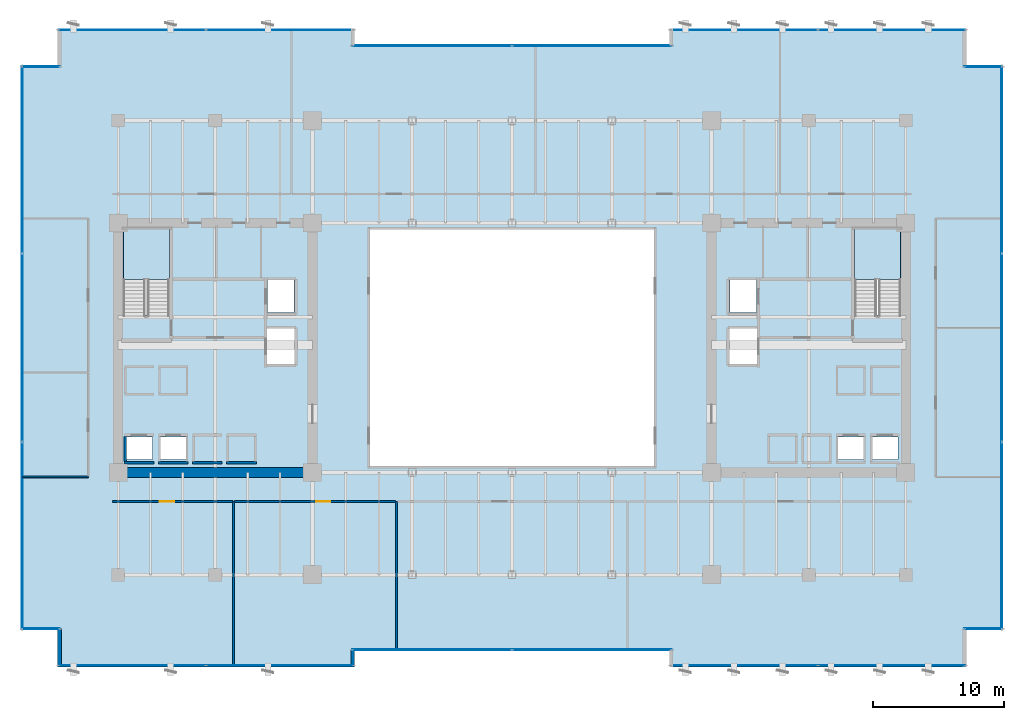
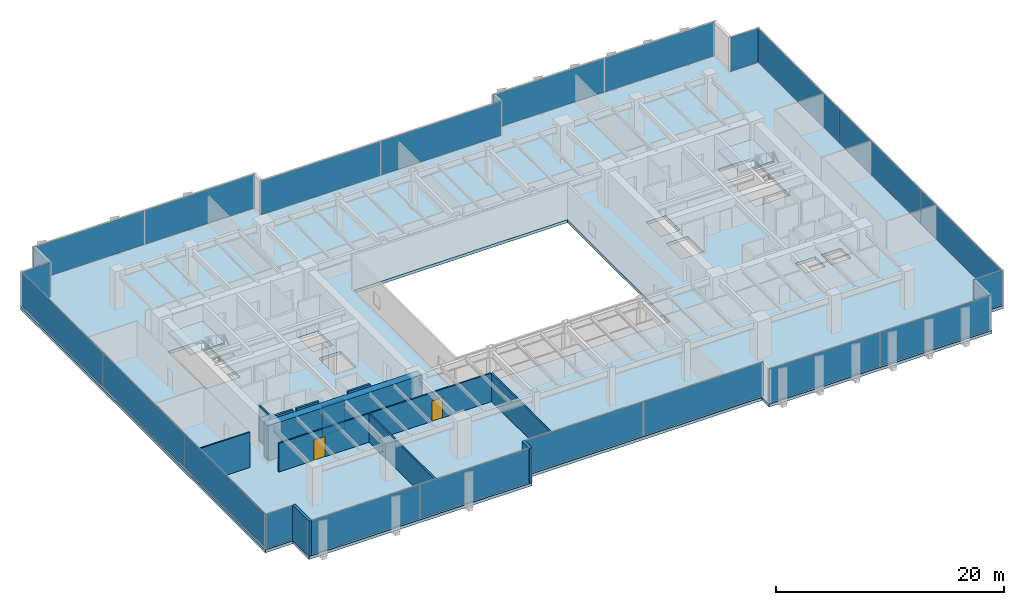
# One storey, part 28 of 36: 22 plates, 13 walls, 3 slabs, 2 doors, 2 openings, 14 elements without a shape of their own.
"""IFC4 building model written with IfcOpenShell, lengths in metres."""

from ifc_helpers import new_model, si_unit, direction, frame, frame_2d, origin, origin_2d, place, context, subcontext, project, spatial, polyline, rectangle, outline, extrude, source, transform, mapped, material, layer, layer_set, type_object, type_shapes, element, fill, aggregate, save


model = new_model("IFC4")

# Units and contexts
model_context = context("Model", 3, precision=1e-05, world=origin(), true_north=direction((0.0, 1.0)))
body_context = subcontext(model_context, "Body", "Model", "MODEL_VIEW")
ifc_project = project(units=[si_unit("LENGTHUNIT", "METRE"), si_unit("AREAUNIT", "SQUARE_METRE"), si_unit("VOLUMEUNIT", "CUBIC_METRE"), si_unit("PLANEANGLEUNIT", "RADIAN"), si_unit("MASSUNIT", "GRAM", prefix="KILO")], contexts=[model_context])

# Site, building, storey
site_placement = place(None, origin())
site = spatial("IfcSite", under=ifc_project, at=site_placement, CompositionType="ELEMENT")
building_placement = place(site_placement, origin())
building = spatial("IfcBuilding", under=site, at=building_placement, Name="Haelvirn Gate Laboratories", CompositionType="ELEMENT")
storey_placement = place(building_placement, frame((0.0, 0.0, 29.300048828125)))
storey = spatial("IfcBuildingStorey", under=building, at=storey_placement, Name="L07", CompositionType="ELEMENT", Elevation=29.300048828125)

# Stair, slab
ifc_material_1 = material(Name="Concrete C40/50", Category="concrete")
stair_type = type_object("IfcStairType", Name="ST-DOG-1650-R22", PredefinedType="HALF_TURN_STAIR", material=ifc_material_1)
stair_1_placement = place(storey_placement, origin())
stair_1 = element("IfcStair", 1, at=stair_1_placement, inside=storey, type_object=stair_type, Name="L07 Escape Stair ST1", PredefinedType="HALF_TURN_STAIR")
ifc_layer_1 = layer(ifc_material_1, 0.199951171875, Name="SL-STAIR-LND")
ifc_layer_set_1 = layer_set([ifc_layer_1], Name="Concrete C40/50")
slab_type_1 = type_object("IfcSlabType", Name="SL-STAIR-LND", PredefinedType="LANDING", material=ifc_layer_set_1)
slab_1_placement = place(storey_placement, frame((0.0, 0.0, 1.849853515625)))
slab_1 = element("IfcSlab", 2, at=slab_1_placement, type_object=slab_type_1, Name="ST1 landing 1", PredefinedType="LANDING", context=body_context, shape_type="SweptSolid", body=[
    extrude(outline(polyline([(11.300048828125, 29.5), (11.300048828125, 33.35009765625), (7.800048828125, 33.35009765625), (7.800048828125, 29.5), (11.300048828125, 29.5)])), origin(), (0.0, 0.0, 1.0), 0.2001953125),
])
aggregate(stair_1, [slab_1])

stair_2_placement = place(storey_placement, origin())
stair_2 = element("IfcStair", 3, at=stair_2_placement, inside=storey, type_object=stair_type, Name="L07 Escape Stair ST2", PredefinedType="HALF_TURN_STAIR")
slab_2_placement = place(storey_placement, frame((0.0, 0.0, 1.849853515625)))
slab_2 = element("IfcSlab", 4, at=slab_2_placement, type_object=slab_type_1, Name="ST2 landing 1", PredefinedType="LANDING", context=body_context, shape_type="SweptSolid", body=[
    extrude(outline(polyline([(67.0, 29.5), (67.0, 33.35009765625), (63.5, 33.35009765625), (63.5, 29.5), (67.0, 29.5)])), origin(), (0.0, 0.0, 1.0), 0.2001953125),
])
aggregate(stair_2, [slab_2])

# Slab
ifc_material_2 = material(Name="Concrete C50/60", Category="concrete")
ifc_layer_2 = layer(ifc_material_2, 0.320068359375, Name="SL-Z1-320")
ifc_layer_set_2 = layer_set([ifc_layer_2], Name="Concrete C50/60")
slab_type_2 = type_object("IfcSlabType", Name="SL-Z1-320", PredefinedType="FLOOR", material=ifc_layer_set_2)
slab_3_placement = place(storey_placement, frame((0.0, 0.0, -0.320068359375)))
element("IfcSlab", 5, at=slab_3_placement, inside=storey, type_object=slab_type_2, Name="L07 Structural Slab MAIN", PredefinedType="FLOOR", context=body_context, shape_type="SweptSolid", body=[
    extrude(outline(polyline([(2.800048828125, 0.0), (25.39990234375, 0.0), (25.39990234375, 1.199951171875), (49.39990234375, 1.199951171875), (49.39990234375, 0.0), (72.0, 0.0), (72.0, 2.800048828125), (74.800048828125, 2.800048828125), (74.800048828125, 45.800048828125), (72.0, 45.800048828125), (72.0, 48.60009765625), (49.39990234375, 48.60009765625), (49.39990234375, 47.39990234375), (25.39990234375, 47.39990234375), (25.39990234375, 48.60009765625), (2.800048828125, 48.60009765625), (2.800048828125, 45.800048828125), (0.0, 45.800048828125), (0.0, 2.800048828125), (2.800048828125, 2.800048828125), (2.800048828125, 0.0)]), holes=[polyline([(26.60009765625, 15.300048828125), (48.199951171875, 15.300048828125), (48.199951171875, 33.300048828125), (26.60009765625, 33.300048828125), (26.60009765625, 15.300048828125)]), polyline([(11.300048828125, 26.780029296875), (11.300048828125, 33.35009765625), (7.800048828125, 33.35009765625), (7.800048828125, 26.780029296875), (11.300048828125, 26.780029296875)]), polyline([(67.0, 26.780029296875), (67.0, 33.35009765625), (63.5, 33.35009765625), (63.5, 26.780029296875), (67.0, 26.780029296875)]), polyline([(7.989990234375, 15.77001953125), (10.010009765625, 15.77001953125), (10.010009765625, 17.510009765625), (7.989990234375, 17.510009765625), (7.989990234375, 15.77001953125)]), polyline([(10.590087890625, 15.77001953125), (12.610107421875, 15.77001953125), (12.610107421875, 17.510009765625), (10.590087890625, 17.510009765625), (10.590087890625, 15.77001953125)]), polyline([(18.7900390625, 26.969970703125), (20.81005859375, 26.969970703125), (20.81005859375, 29.510009765625), (18.7900390625, 29.510009765625), (18.7900390625, 26.969970703125)]), polyline([(18.68994140625, 23.070068359375), (20.909912109375, 23.070068359375), (20.909912109375, 25.81005859375), (18.68994140625, 25.81005859375), (18.68994140625, 23.070068359375)]), polyline([(64.7900390625, 15.77001953125), (66.81005859375, 15.77001953125), (66.81005859375, 17.510009765625), (64.7900390625, 17.510009765625), (64.7900390625, 15.77001953125)]), polyline([(62.18994140625, 15.77001953125), (64.2099609375, 15.77001953125), (64.2099609375, 17.510009765625), (62.18994140625, 17.510009765625), (62.18994140625, 15.77001953125)]), polyline([(53.989990234375, 26.969970703125), (56.010009765625, 26.969970703125), (56.010009765625, 29.510009765625), (53.989990234375, 29.510009765625), (53.989990234375, 26.969970703125)]), polyline([(53.889892578125, 23.070068359375), (56.110107421875, 23.070068359375), (56.110107421875, 25.81005859375), (53.889892578125, 25.81005859375), (53.889892578125, 23.070068359375)])]), origin(), (0.0, 0.0, 1.0), 0.320068359375),
])

# Curtain wall, plates
ifc_material_3 = material(Name="Anodised bronze unitised aluminium & triple low-E glass", Category="aluminium")
ifc_layer_3 = layer(ifc_material_3, 0.18408203125, Name="CW-SYS-2")
ifc_layer_set_3 = layer_set([ifc_layer_3], Name="Anodised bronze unitised aluminium & triple low-E glass")
curtain_wall_type_1 = type_object("IfcCurtainWallType", Name="CW-SYS-2", PredefinedType="NOTDEFINED", material=ifc_layer_set_3)
curtain_wall_1_placement = place(storey_placement, origin())
curtain_wall_1 = element("IfcCurtainWall", 6, at=curtain_wall_1_placement, inside=storey, type_object=curtain_wall_type_1, Name="L07 Unitised Curtain Wall CW-L07-P0-E02-1", PredefinedType="NOTDEFINED")
ifc_material_4 = material(Name="Bronze solar-control triple low-E IGU 44 mm", Category="glass")
ifc_layer_4 = layer(ifc_material_4, 0.0439453125, Name="CWP-IGU-44")
ifc_layer_set_4 = layer_set([ifc_layer_4], Name="Bronze solar-control triple low-E IGU 44 mm")
plate_type_1 = type_object("IfcPlateType", Name="CWP-IGU-44", PredefinedType="CURTAIN_PANEL", material=ifc_layer_set_4)
shared_shape_1 = source(origin(), body_context, "Body", "SweptSolid", [
    extrude(rectangle(XDim=12.12744140625, YDim=0.0439453125, at=origin_2d()), origin(), (0.0, 0.0, 1.0), 3.639892578125),
])
plate_1_placement = place(storey_placement, frame((31.298828125, 1.300048828125, 0.06982421875), z_axis=(0.0, 0.0, 1.0), x_axis=(1.0, 0.0, 0.0)))
plate_1 = element("IfcPlate", 7, at=plate_1_placement, type_object=plate_type_1, Name="CW2 panel 1.1", PredefinedType="CURTAIN_PANEL", context=body_context, shape_type="MappedRepresentation", body=[
    mapped(shared_shape_1, transform((0.0, 0.0, 0.0), scale=1.0)),
])
plate_2_placement = place(storey_placement, frame((43.501220703125, 1.300048828125, 0.06982421875), z_axis=(0.0, 0.0, 1.0), x_axis=(1.0, 0.0, 0.0)))
plate_2 = element("IfcPlate", 8, at=plate_2_placement, type_object=plate_type_1, Name="CW2 panel 2.1", PredefinedType="CURTAIN_PANEL", context=body_context, shape_type="MappedRepresentation", body=[
    mapped(shared_shape_1, transform((0.0, 0.0, 0.0), scale=1.0)),
])
aggregate(curtain_wall_1, [plate_1, plate_2])

curtain_wall_2_placement = place(storey_placement, origin())
curtain_wall_2 = element("IfcCurtainWall", 9, at=curtain_wall_2_placement, inside=storey, type_object=curtain_wall_type_1, Name="L07 Unitised Curtain Wall CW-L07-P0-E12-1", PredefinedType="NOTDEFINED")
plate_3_placement = place(storey_placement, frame((31.298828125, 47.300048828125, 0.06982421875), z_axis=(0.0, 0.0, 1.0), x_axis=(1.0, 0.0, 0.0)))
plate_3 = element("IfcPlate", 10, at=plate_3_placement, type_object=plate_type_1, Name="CW2 panel 1.1", PredefinedType="CURTAIN_PANEL", context=body_context, shape_type="MappedRepresentation", body=[
    mapped(shared_shape_1, transform((0.0, 0.0, 0.0), scale=1.0)),
])
plate_4_placement = place(storey_placement, frame((43.501220703125, 47.300048828125, 0.06982421875), z_axis=(0.0, 0.0, 1.0), x_axis=(1.0, 0.0, 0.0)))
plate_4 = element("IfcPlate", 11, at=plate_4_placement, type_object=plate_type_1, Name="CW2 panel 2.1", PredefinedType="CURTAIN_PANEL", context=body_context, shape_type="MappedRepresentation", body=[
    mapped(shared_shape_1, transform((0.0, 0.0, 0.0), scale=1.0)),
])
aggregate(curtain_wall_2, [plate_3, plate_4])

curtain_wall_3_placement = place(storey_placement, origin())
curtain_wall_3 = element("IfcCurtainWall", 12, at=curtain_wall_3_placement, inside=storey, type_object=curtain_wall_type_1, Name="L07 Unitised Curtain Wall CW-L07-P0-E00-1", PredefinedType="NOTDEFINED")
shared_shape_2 = source(origin(), body_context, "Body", "SweptSolid", [
    extrude(rectangle(XDim=11.1875, YDim=0.0439453125, at=origin_2d()), origin(), (0.0, 0.0, 1.0), 3.639892578125),
])
plate_5_placement = place(storey_placement, frame((8.46875, 0.10009765625, 0.06982421875), z_axis=(0.0, 0.0, 1.0), x_axis=(1.0, 0.0, 0.0)))
plate_5 = element("IfcPlate", 13, at=plate_5_placement, type_object=plate_type_1, Name="CW2 panel 1.1", PredefinedType="CURTAIN_PANEL", context=body_context, shape_type="MappedRepresentation", body=[
    mapped(shared_shape_2, transform((0.0, 0.0, 0.0), scale=1.0)),
])
plate_6_placement = place(storey_placement, frame((19.731201171875, 0.10009765625, 0.06982421875), z_axis=(0.0, 0.0, 1.0), x_axis=(1.0, 0.0, 0.0)))
plate_6 = element("IfcPlate", 14, at=plate_6_placement, type_object=plate_type_1, Name="CW2 panel 2.1", PredefinedType="CURTAIN_PANEL", context=body_context, shape_type="MappedRepresentation", body=[
    mapped(shared_shape_2, transform((0.0, 0.0, 0.0), scale=1.0)),
])
aggregate(curtain_wall_3, [plate_5, plate_6])

curtain_wall_4_placement = place(storey_placement, origin())
curtain_wall_4 = element("IfcCurtainWall", 15, at=curtain_wall_4_placement, inside=storey, type_object=curtain_wall_type_1, Name="L07 Unitised Curtain Wall CW-L07-P0-E04-1", PredefinedType="NOTDEFINED")
plate_7_placement = place(storey_placement, frame((55.06884765625, 0.10009765625, 0.06982421875), z_axis=(0.0, 0.0, 1.0), x_axis=(1.0, 0.0, 0.0)))
plate_7 = element("IfcPlate", 16, at=plate_7_placement, type_object=plate_type_1, Name="CW2 panel 1.1", PredefinedType="CURTAIN_PANEL", context=body_context, shape_type="MappedRepresentation", body=[
    mapped(shared_shape_2, transform((0.0, 0.0, 0.0), scale=1.0)),
])
plate_8_placement = place(storey_placement, frame((66.331298828125, 0.10009765625, 0.06982421875), z_axis=(0.0, 0.0, 1.0), x_axis=(1.0, 0.0, 0.0)))
plate_8 = element("IfcPlate", 17, at=plate_8_placement, type_object=plate_type_1, Name="CW2 panel 2.1", PredefinedType="CURTAIN_PANEL", context=body_context, shape_type="MappedRepresentation", body=[
    mapped(shared_shape_2, transform((0.0, 0.0, 0.0), scale=1.0)),
])
aggregate(curtain_wall_4, [plate_7, plate_8])

curtain_wall_5_placement = place(storey_placement, origin())
curtain_wall_5 = element("IfcCurtainWall", 18, at=curtain_wall_5_placement, inside=storey, type_object=curtain_wall_type_1, Name="L07 Unitised Curtain Wall CW-L07-P0-E10-1", PredefinedType="NOTDEFINED")
plate_9_placement = place(storey_placement, frame((55.06884765625, 48.5, 0.06982421875), z_axis=(0.0, 0.0, 1.0), x_axis=(1.0, 0.0, 0.0)))
plate_9 = element("IfcPlate", 19, at=plate_9_placement, type_object=plate_type_1, Name="CW2 panel 1.1", PredefinedType="CURTAIN_PANEL", context=body_context, shape_type="MappedRepresentation", body=[
    mapped(shared_shape_2, transform((0.0, 0.0, 0.0), scale=1.0)),
])
plate_10_placement = place(storey_placement, frame((66.331298828125, 48.5, 0.06982421875), z_axis=(0.0, 0.0, 1.0), x_axis=(1.0, 0.0, 0.0)))
plate_10 = element("IfcPlate", 20, at=plate_10_placement, type_object=plate_type_1, Name="CW2 panel 2.1", PredefinedType="CURTAIN_PANEL", context=body_context, shape_type="MappedRepresentation", body=[
    mapped(shared_shape_2, transform((0.0, 0.0, 0.0), scale=1.0)),
])
aggregate(curtain_wall_5, [plate_9, plate_10])

curtain_wall_6_placement = place(storey_placement, origin())
curtain_wall_6 = element("IfcCurtainWall", 21, at=curtain_wall_6_placement, inside=storey, type_object=curtain_wall_type_1, Name="L07 Unitised Curtain Wall CW-L07-P0-E14-1", PredefinedType="NOTDEFINED")
plate_11_placement = place(storey_placement, frame((8.46875, 48.5, 0.06982421875), z_axis=(0.0, 0.0, 1.0), x_axis=(1.0, 0.0, 0.0)))
plate_11 = element("IfcPlate", 22, at=plate_11_placement, type_object=plate_type_1, Name="CW2 panel 1.1", PredefinedType="CURTAIN_PANEL", context=body_context, shape_type="MappedRepresentation", body=[
    mapped(shared_shape_2, transform((0.0, 0.0, 0.0), scale=1.0)),
])
plate_12_placement = place(storey_placement, frame((19.731201171875, 48.5, 0.06982421875), z_axis=(0.0, 0.0, 1.0), x_axis=(1.0, 0.0, 0.0)))
plate_12 = element("IfcPlate", 23, at=plate_12_placement, type_object=plate_type_1, Name="CW2 panel 2.1", PredefinedType="CURTAIN_PANEL", context=body_context, shape_type="MappedRepresentation", body=[
    mapped(shared_shape_2, transform((0.0, 0.0, 0.0), scale=1.0)),
])
aggregate(curtain_wall_6, [plate_11, plate_12])

# Curtain wall, plate
ifc_layer_5 = layer(ifc_material_3, 0.181884765625, Name="CW-SYS-5")
ifc_layer_set_5 = layer_set([ifc_layer_5], Name="Anodised bronze unitised aluminium & triple low-E glass")
curtain_wall_type_2 = type_object("IfcCurtainWallType", Name="CW-SYS-5", PredefinedType="NOTDEFINED", material=ifc_layer_set_5)
curtain_wall_7_placement = place(storey_placement, origin())
curtain_wall_7 = element("IfcCurtainWall", 24, at=curtain_wall_7_placement, inside=storey, type_object=curtain_wall_type_2, Name="L07 Unitised Curtain Wall CW-L07-P0-E06-1", PredefinedType="NOTDEFINED")
ifc_material_5 = material(Name="Clear low-iron notched-corner triple IGU 42 mm", Category="glass")
ifc_layer_6 = layer(ifc_material_5, 0.0419921875, Name="CWP-NTC-42")
ifc_layer_set_6 = layer_set([ifc_layer_6], Name="Clear low-iron notched-corner triple IGU 42 mm")
plate_type_2 = type_object("IfcPlateType", Name="CWP-NTC-42", PredefinedType="CURTAIN_PANEL", material=ifc_layer_set_6)
shared_shape_3 = source(origin(), body_context, "Body", "SweptSolid", [
    extrude(rectangle(XDim=2.8798828125, YDim=0.0419921875, at=origin_2d()), origin(), (0.0, 0.0, 1.0), 3.64990234375),
])
type_shapes(plate_type_2, [shared_shape_3])
plate_13_placement = place(storey_placement, frame((73.280029296875, 2.89990234375, 0.06494140625), z_axis=(0.0, 0.0, 1.0), x_axis=(1.0, 0.0, 0.0)))
plate_13 = element("IfcPlate", 25, at=plate_13_placement, type_object=plate_type_2, Name="CW5 panel 1.1", PredefinedType="CURTAIN_PANEL", context=body_context, shape_type="MappedRepresentation", body=[
    mapped(shared_shape_3, transform((0.0, 0.0, 0.0), scale=1.0)),
])
aggregate(curtain_wall_7, [plate_13])

curtain_wall_8_placement = place(storey_placement, origin())
curtain_wall_8 = element("IfcCurtainWall", 26, at=curtain_wall_8_placement, inside=storey, type_object=curtain_wall_type_2, Name="L07 Unitised Curtain Wall CW-L07-P0-E08-1", PredefinedType="NOTDEFINED")
plate_14_placement = place(storey_placement, frame((73.280029296875, 45.699951171875, 0.06494140625), z_axis=(0.0, 0.0, 1.0), x_axis=(1.0, 0.0, 0.0)))
plate_14 = element("IfcPlate", 27, at=plate_14_placement, type_object=plate_type_2, Name="CW5 panel 1.1", PredefinedType="CURTAIN_PANEL", context=body_context, shape_type="MappedRepresentation", body=[
    mapped(shared_shape_3, transform((0.0, 0.0, 0.0), scale=1.0)),
])
aggregate(curtain_wall_8, [plate_14])

curtain_wall_9_placement = place(storey_placement, origin())
curtain_wall_9 = element("IfcCurtainWall", 28, at=curtain_wall_9_placement, inside=storey, type_object=curtain_wall_type_2, Name="L07 Unitised Curtain Wall CW-L07-P0-E16-1", PredefinedType="NOTDEFINED")
plate_15_placement = place(storey_placement, frame((1.52001953125, 45.699951171875, 0.06494140625), z_axis=(0.0, 0.0, 1.0), x_axis=(1.0, 0.0, 0.0)))
plate_15 = element("IfcPlate", 29, at=plate_15_placement, type_object=plate_type_2, Name="CW5 panel 1.1", PredefinedType="CURTAIN_PANEL", context=body_context, shape_type="MappedRepresentation", body=[
    mapped(shared_shape_3, transform((0.0, 0.0, 0.0), scale=1.0)),
])
aggregate(curtain_wall_9, [plate_15])

curtain_wall_10_placement = place(storey_placement, origin())
curtain_wall_10 = element("IfcCurtainWall", 30, at=curtain_wall_10_placement, inside=storey, type_object=curtain_wall_type_2, Name="L07 Unitised Curtain Wall CW-L07-P0-E18-1", PredefinedType="NOTDEFINED")
plate_16_placement = place(storey_placement, frame((1.52001953125, 2.89990234375, 0.06494140625), z_axis=(0.0, 0.0, 1.0), x_axis=(1.0, 0.0, 0.0)))
plate_16 = element("IfcPlate", 31, at=plate_16_placement, type_object=plate_type_2, Name="CW5 panel 1.1", PredefinedType="CURTAIN_PANEL", context=body_context, shape_type="MappedRepresentation", body=[
    mapped(shared_shape_3, transform((0.0, 0.0, 0.0), scale=1.0)),
])
aggregate(curtain_wall_10, [plate_16])

# Curtain wall, plates
curtain_wall_11_placement = place(storey_placement, origin())
curtain_wall_11 = element("IfcCurtainWall", 32, at=curtain_wall_11_placement, inside=storey, type_object=curtain_wall_type_1, Name="L07 Unitised Curtain Wall CW-L07-P0-E07", PredefinedType="NOTDEFINED")
shared_shape_4 = source(origin(), body_context, "Body", "SweptSolid", [
    extrude(rectangle(XDim=14.220947265625, YDim=0.0439453125, at=origin_2d()), origin(), (0.0, 0.0, 1.0), 3.639892578125),
])
plate_17_placement = place(storey_placement, frame((74.699951171875, 9.9853515625, 0.06982421875), z_axis=(0.0, 0.0, 1.0), x_axis=(0.0, 1.0, 0.0)))
plate_17 = element("IfcPlate", 33, at=plate_17_placement, type_object=plate_type_1, Name="CW2 panel 1.1", PredefinedType="CURTAIN_PANEL", context=body_context, shape_type="MappedRepresentation", body=[
    mapped(shared_shape_4, transform((0.0, 0.0, 0.0), scale=1.0)),
])
plate_18_placement = place(storey_placement, frame((74.699951171875, 38.614501953125, 0.06982421875), z_axis=(0.0, 0.0, 1.0), x_axis=(0.0, 1.0, 0.0)))
plate_18 = element("IfcPlate", 34, at=plate_18_placement, type_object=plate_type_1, Name="CW2 panel 3.1", PredefinedType="CURTAIN_PANEL", context=body_context, shape_type="MappedRepresentation", body=[
    mapped(shared_shape_4, transform((0.0, 0.0, 0.0), scale=1.0)),
])

curtain_wall_12_placement = place(storey_placement, origin())
curtain_wall_12 = element("IfcCurtainWall", 35, at=curtain_wall_12_placement, inside=storey, type_object=curtain_wall_type_1, Name="L07 Unitised Curtain Wall CW-L07-P0-E17", PredefinedType="NOTDEFINED")
plate_19_placement = place(storey_placement, frame((0.10009765625, 38.614501953125, 0.06982421875), z_axis=(0.0, 0.0, 1.0), x_axis=(0.0, -1.0, 0.0)))
plate_19 = element("IfcPlate", 36, at=plate_19_placement, type_object=plate_type_1, Name="CW2 panel 1.1", PredefinedType="CURTAIN_PANEL", context=body_context, shape_type="MappedRepresentation", body=[
    mapped(shared_shape_4, transform((0.0, 0.0, 0.0), scale=1.0)),
])
plate_20_placement = place(storey_placement, frame((0.10009765625, 9.9853515625, 0.06982421875), z_axis=(0.0, 0.0, 1.0), x_axis=(0.0, -1.0, 0.0)))
plate_20 = element("IfcPlate", 37, at=plate_20_placement, type_object=plate_type_1, Name="CW2 panel 3.1", PredefinedType="CURTAIN_PANEL", context=body_context, shape_type="MappedRepresentation", body=[
    mapped(shared_shape_4, transform((0.0, 0.0, 0.0), scale=1.0)),
])

# Plate
shared_shape_5 = source(origin(), body_context, "Body", "SweptSolid", [
    extrude(rectangle(XDim=14.25830078125, YDim=0.0439453125, at=origin_2d()), origin(), (0.0, 0.0, 1.0), 3.639892578125),
])
type_shapes(plate_type_1, [shared_shape_1, shared_shape_2, shared_shape_4, shared_shape_5])
plate_21_placement = place(storey_placement, frame((74.699951171875, 24.300048828125, 0.06982421875), z_axis=(0.0, 0.0, 1.0), x_axis=(0.0, 1.0, 0.0)))
plate_21 = element("IfcPlate", 38, at=plate_21_placement, type_object=plate_type_1, Name="CW2 panel 2.1", PredefinedType="CURTAIN_PANEL", context=body_context, shape_type="MappedRepresentation", body=[
    mapped(shared_shape_5, transform((0.0, 0.0, 0.0), scale=1.0)),
])

aggregate(curtain_wall_11, [plate_17, plate_21, plate_18])

plate_22_placement = place(storey_placement, frame((0.10009765625, 24.300048828125, 0.06982421875), z_axis=(0.0, 0.0, 1.0), x_axis=(0.0, -1.0, 0.0)))
plate_22 = element("IfcPlate", 39, at=plate_22_placement, type_object=plate_type_1, Name="CW2 panel 2.1", PredefinedType="CURTAIN_PANEL", context=body_context, shape_type="MappedRepresentation", body=[
    mapped(shared_shape_5, transform((0.0, 0.0, 0.0), scale=1.0)),
])

aggregate(curtain_wall_12, [plate_19, plate_22, plate_20])

# Walls
ifc_material_6 = material(Name="Thermally-broken bronze aluminium rainscreen & mineral wool", Category="aluminium")
ifc_layer_7 = layer(ifc_material_6, 0.280029296875, Name="EW-TERR-280")
ifc_layer_set_7 = layer_set([ifc_layer_7], Name="Thermally-broken bronze aluminium rainscreen & mineral wool")
wall_type_1 = type_object("IfcWallType", Name="EW-TERR-280", PredefinedType="STANDARD", material=ifc_layer_set_7)
wall_1_placement = place(storey_placement, frame((25.260009765625, 0.0, 0.0), z_axis=(0.0, 0.0, 1.0), x_axis=(0.0, 1.0, 0.0)))
element("IfcWall", 40, at=wall_1_placement, inside=storey, type_object=wall_type_1, Name="L07 Atrium Recess Bronze Return Wall 01", PredefinedType="STANDARD", context=body_context, shape_type="SweptSolid", body=[
    extrude(rectangle(XDim=1.2880859375, YDim=0.280029296875, at=frame_2d((0.64404296875, 0.0))), origin(), (0.0, 0.0, 1.0), 3.780029296875),
])
wall_2_placement = place(storey_placement, frame((2.93994140625, 2.887939453125, 0.0), z_axis=(0.0, 0.0, 1.0), x_axis=(0.0, -1.0, 0.0)))
element("IfcWall", 41, at=wall_2_placement, inside=storey, type_object=wall_type_1, Name="L07 Atrium Recess Bronze Return Wall 19", PredefinedType="STANDARD", context=body_context, shape_type="SweptSolid", body=[
    extrude(rectangle(XDim=2.887939453125, YDim=0.280029296875, at=frame_2d((1.44384765625, 0.0))), origin(), (0.0, 0.0, 1.0), 3.780029296875),
])
ifc_material_7 = material(Name="Double-layer acoustic gypsum laboratory partition", Category="gypsum")
ifc_layer_8 = layer(ifc_material_7, 0.159912109375, Name="IW-ACOUST-160")
ifc_layer_set_8 = layer_set([ifc_layer_8], Name="Double-layer acoustic gypsum laboratory partition")
wall_type_2 = type_object("IfcWallType", Name="IW-ACOUST-160", PredefinedType="PARTITIONING", material=ifc_layer_set_8)
wall_3_placement = place(storey_placement, frame((16.199951171875, 0.110107421875, 0.0), z_axis=(0.0, 0.0, 1.0), x_axis=(0.0, 1.0, 0.0)))
element("IfcWall", 42, at=wall_3_placement, inside=storey, type_object=wall_type_2, Name="L07 Interior Wall IW-L07-SDIV-01", PredefinedType="PARTITIONING", context=body_context, shape_type="SweptSolid", body=[
    extrude(rectangle(XDim=12.47998046875, YDim=0.159912109375, at=frame_2d((6.239990234375, 0.0))), origin(), (0.0, 0.0, 1.0), 3.014892578125),
])
wall_4_placement = place(storey_placement, frame((28.60009765625, 1.31005859375, 0.0), z_axis=(0.0, 0.0, 1.0), x_axis=(0.0, 1.0, 0.0)))
element("IfcWall", 43, at=wall_4_placement, inside=storey, type_object=wall_type_2, Name="L07 Interior Wall IW-L07-SDIV-02", PredefinedType="PARTITIONING", context=body_context, shape_type="SweptSolid", body=[
    extrude(rectangle(XDim=11.280029296875, YDim=0.159912109375, at=frame_2d((5.64013671875, 0.0))), origin(), (0.0, 0.0, 1.0), 3.014892578125),
])
ifc_material_8 = material(Name="Lightweight acoustic gypsum board partition", Category="gypsum")
ifc_layer_9 = layer(ifc_material_8, 0.1201171875, Name="IW-PART-120")
ifc_layer_set_9 = layer_set([ifc_layer_9], Name="Lightweight acoustic gypsum board partition")
wall_type_3 = type_object("IfcWallType", Name="IW-PART-120", PredefinedType="PARTITIONING", material=ifc_layer_set_9)
wall_5_placement = place(storey_placement, frame((0.110107421875, 14.465087890625, 0.0), z_axis=(0.0, 0.0, 1.0), x_axis=(1.0, 0.0, 0.0)))
element("IfcWall", 44, at=wall_5_placement, inside=storey, type_object=wall_type_3, Name="L07 Interior Wall IW-L07-WCAP-S", PredefinedType="PARTITIONING", context=body_context, shape_type="SweptSolid", body=[
    extrude(rectangle(XDim=5.019775390625, YDim=0.1201171875, at=frame_2d((2.509765625, 0.0))), origin(), (0.0, 0.0, 1.0), 3.780029296875),
])

# Wall, opening, door
ifc_material_9 = material(Name="Acoustic mineral-wool gypsum board partition", Category="gypsum")
ifc_layer_10 = layer(ifc_material_9, 0.139892578125, Name="IW-PART-140")
ifc_layer_set_10 = layer_set([ifc_layer_10], Name="Acoustic mineral-wool gypsum board partition")
wall_type_4 = type_object("IfcWallType", Name="IW-PART-140", PredefinedType="PARTITIONING", material=ifc_layer_set_10)
wall_6_placement = place(storey_placement, frame((6.97998046875, 12.590087890625, 0.0), z_axis=(0.0, 0.0, 1.0), x_axis=(1.0, 0.0, 0.0)))
wall_6 = element("IfcWall", 45, at=wall_6_placement, inside=storey, type_object=wall_type_4, Name="L07 Interior Wall IW-L07-SCORR-01", PredefinedType="PARTITIONING", context=body_context, shape_type="SweptSolid", body=[
    extrude(rectangle(XDim=9.14013671875, YDim=0.139892578125, at=frame_2d((4.570068359375, 0.0))), origin(), (0.0, 0.0, 1.0), 3.06494140625),
])
opening_1_placement = place(wall_6_placement, frame((3.57958984375, 0.0, 0.0)))
opening_1 = element("IfcOpeningElement", 46, at=opening_1_placement, cuts=wall_6, Name="Opening D1", PredefinedType="OPENING", context=body_context, shape_type="SweptSolid", body=[
    extrude(rectangle(XDim=1.10009765625, YDim=2.179931640625, at=frame_2d((0.550048828125, 1.08984375))), frame((0.0, 0.080078125, 0.0), z_axis=(0.0, -1.0, 0.0), x_axis=(1.0, 0.0, 0.0)), (0.0, 0.0, 1.0), 0.159912109375),
])
ifc_material_10 = material(Name="Vision-panel acoustic solid-core timber lab door", Category="wood")
door_type = type_object("IfcDoorType", Name="DR-LAB-1100", OperationType="NOTDEFINED", PredefinedType="DOOR", material=ifc_material_10)
shared_shape_6 = source(origin(), body_context, "Body", "SweptSolid", [
    extrude(rectangle(XDim=1.10009765625, YDim=2.179931640625, at=frame_2d((0.550048828125, 1.08984375))), frame((0.0, 0.02490234375, 0.0), z_axis=(0.0, -1.0, 0.0), x_axis=(1.0, 0.0, 0.0)), (0.0, 0.0, 1.0), 0.050048828125),
])
type_shapes(door_type, [shared_shape_6])
door_1_placement = place(opening_1_placement, origin())
door_1 = element("IfcDoor", 47, at=door_1_placement, inside=storey, type_object=door_type, Name="L07 Computational Write-Up Office Door S1", OperationType="SINGLE_SWING_RIGHT", OverallHeight=2.179931640625, OverallWidth=1.10009765625, PredefinedType="DOOR", context=body_context, shape_type="MappedRepresentation", body=[
    mapped(shared_shape_6, transform((0.0, 0.0, 0.0), scale=1.0)),
])
fill(opening_1, door_1)

wall_7_placement = place(storey_placement, frame((16.280029296875, 12.590087890625, 0.0), z_axis=(0.0, 0.0, 1.0), x_axis=(1.0, 0.0, 0.0)))
wall_7 = element("IfcWall", 48, at=wall_7_placement, inside=storey, type_object=wall_type_4, Name="L07 Interior Wall IW-L07-SCORR-02", PredefinedType="PARTITIONING", context=body_context, shape_type="SweptSolid", body=[
    extrude(rectangle(XDim=12.239990234375, YDim=0.139892578125, at=frame_2d((6.1201171875, 0.0))), origin(), (0.0, 0.0, 1.0), 3.06494140625),
])
opening_2_placement = place(wall_7_placement, frame((6.1962890625, 0.0, 0.0)))
opening_2 = element("IfcOpeningElement", 49, at=opening_2_placement, cuts=wall_7, Name="Opening D1", PredefinedType="OPENING", context=body_context, shape_type="SweptSolid", body=[
    extrude(rectangle(XDim=1.10009765625, YDim=2.179931640625, at=frame_2d((0.550048828125, 1.08984375))), frame((0.0, 0.080078125, 0.0), z_axis=(0.0, -1.0, 0.0), x_axis=(1.0, 0.0, 0.0)), (0.0, 0.0, 1.0), 0.159912109375),
])
door_2_placement = place(opening_2_placement, origin())
door_2 = element("IfcDoor", 50, at=door_2_placement, inside=storey, type_object=door_type, Name="L07 Bioinformatics Dry-Lab Workspace Door S2", OperationType="SINGLE_SWING_LEFT", OverallHeight=2.179931640625, OverallWidth=1.10009765625, PredefinedType="DOOR", context=body_context, shape_type="MappedRepresentation", body=[
    mapped(shared_shape_6, transform((0.0, 0.0, 0.0), scale=1.0)),
])
fill(opening_2, door_2)

# Walls
ifc_layer_11 = layer(ifc_material_1, 0.179931640625, Name="IW-SHAFT-180")
ifc_layer_set_11 = layer_set([ifc_layer_11], Name="Concrete C40/50")
wall_type_5 = type_object("IfcWallType", Name="IW-SHAFT-180", PredefinedType="SOLIDWALL", material=ifc_layer_set_11)
wall_8_placement = place(storey_placement, frame((7.949951171875, 15.64990234375, 0.0), z_axis=(0.0, 0.0, 1.0), x_axis=(0.0, 1.0, 0.0)))
element("IfcWall", 51, at=wall_8_placement, inside=storey, type_object=wall_type_5, Name="L07 Interior Wall IW-L07-PL1-SD", PredefinedType="SOLIDWALL", context=body_context, shape_type="SweptSolid", body=[
    extrude(rectangle(XDim=1.900146484375, YDim=0.179931640625, at=frame_2d((0.9501953125, 0.0))), origin(), (0.0, 0.0, 1.0), 3.780029296875),
])
ifc_layer_12 = layer(ifc_material_1, 0.199951171875, Name="IW-SHAFT-200")
ifc_layer_set_12 = layer_set([ifc_layer_12], Name="Concrete C40/50")
wall_type_6 = type_object("IfcWallType", Name="IW-SHAFT-200", PredefinedType="SOLIDWALL", material=ifc_layer_set_12)
wall_9_placement = place(storey_placement, frame((7.8701171875, 15.550048828125, 0.0), z_axis=(0.0, 0.0, 1.0), x_axis=(1.0, 0.0, 0.0)))
element("IfcWall", 52, at=wall_9_placement, inside=storey, type_object=wall_type_6, Name="L07 Interior Wall IW-L07-PL1-BK", PredefinedType="SOLIDWALL", context=body_context, shape_type="SweptSolid", body=[
    extrude(rectangle(XDim=2.259765625, YDim=0.199951171875, at=frame_2d((1.1298828125, 0.0))), origin(), (0.0, 0.0, 1.0), 3.780029296875),
])
wall_10_placement = place(storey_placement, frame((10.469970703125, 15.550048828125, 0.0), z_axis=(0.0, 0.0, 1.0), x_axis=(1.0, 0.0, 0.0)))
element("IfcWall", 53, at=wall_10_placement, inside=storey, type_object=wall_type_6, Name="L07 Interior Wall IW-L07-PL2-BK", PredefinedType="SOLIDWALL", context=body_context, shape_type="SweptSolid", body=[
    extrude(rectangle(XDim=2.260009765625, YDim=0.199951171875, at=frame_2d((1.1298828125, 0.0))), origin(), (0.0, 0.0, 1.0), 3.780029296875),
])
wall_11_placement = place(storey_placement, frame((13.070068359375, 15.550048828125, 0.0), z_axis=(0.0, 0.0, 1.0), x_axis=(1.0, 0.0, 0.0)))
element("IfcWall", 54, at=wall_11_placement, inside=storey, type_object=wall_type_6, Name="L07 Interior Wall IW-L07-PL5-BK", PredefinedType="SOLIDWALL", context=body_context, shape_type="SweptSolid", body=[
    extrude(rectangle(XDim=2.260009765625, YDim=0.199951171875, at=frame_2d((1.1298828125, 0.0))), origin(), (0.0, 0.0, 1.0), 3.06494140625),
])
wall_12_placement = place(storey_placement, frame((15.669921875, 15.550048828125, 0.0), z_axis=(0.0, 0.0, 1.0), x_axis=(1.0, 0.0, 0.0)))
element("IfcWall", 55, at=wall_12_placement, inside=storey, type_object=wall_type_6, Name="L07 Interior Wall IW-L07-PL6-BK", PredefinedType="SOLIDWALL", context=body_context, shape_type="SweptSolid", body=[
    extrude(rectangle(XDim=2.260009765625, YDim=0.199951171875, at=frame_2d((1.1298828125, 0.0))), origin(), (0.0, 0.0, 1.0), 3.780029296875),
])
ifc_material_11 = material(Name="Concrete C70/85", Category="concrete")
ifc_layer_13 = layer(ifc_material_11, 0.75, Name="SW-CORE-750")
ifc_layer_set_13 = layer_set([ifc_layer_13], Name="Concrete C70/85")
wall_type_7 = type_object("IfcWallType", Name="SW-CORE-750", PredefinedType="SHEAR", material=ifc_layer_set_13)
wall_13_placement = place(storey_placement, frame((7.02490234375, 14.800048828125, 0.0), z_axis=(0.0, 0.0, 1.0), x_axis=(1.0, 0.0, 0.0)))
element("IfcWall", 56, at=wall_13_placement, inside=storey, type_object=wall_type_7, Name="L07 W Core Shear Wall S", PredefinedType="SHEAR", context=body_context, shape_type="SweptSolid", body=[
    extrude(rectangle(XDim=15.550048828125, YDim=0.75, at=frame_2d((7.77490234375, 0.0))), origin(), (0.0, 0.0, 1.0), 3.780029296875),
])

save(model, "model.ifc")
